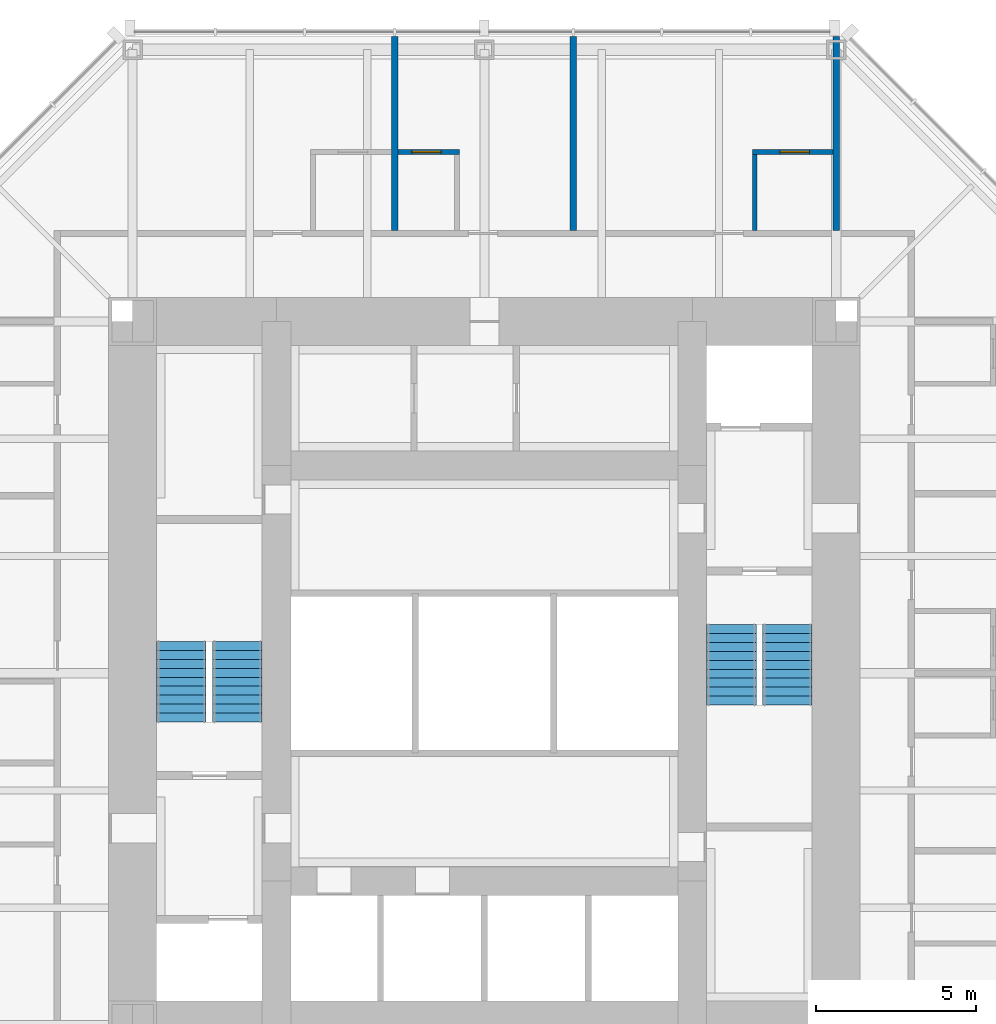
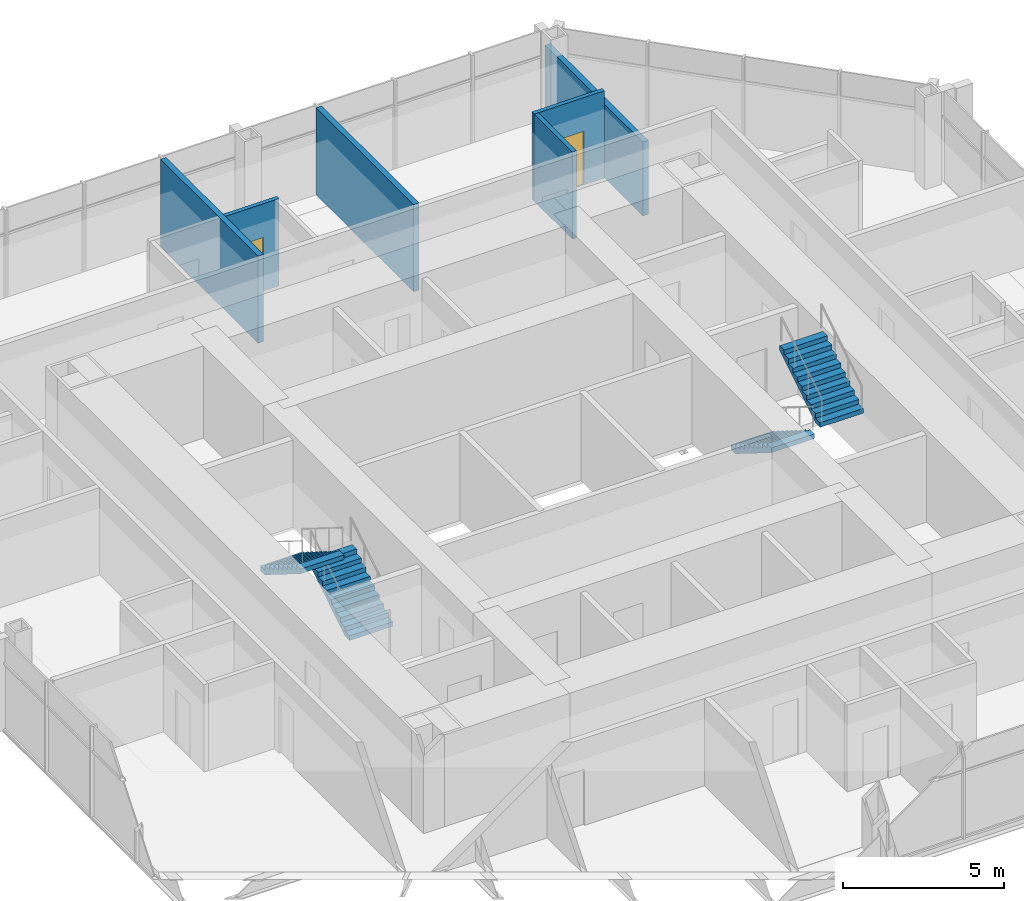
# One storey, part 10 of 11: 6 walls, 4 stair flights, 2 doors, 2 openings, 2 elements without a shape of their own.
"""IFC4 building model written with IfcOpenShell, lengths in metres."""

from ifc_helpers import new_model, si_unit, direction, frame, frame_2d, origin, place, context, subcontext, project, spatial, polyline, rectangle, outline, extrude, material, layer, layer_set, type_object, element, fill, aggregate, save


model = new_model("IFC4")

# Units and contexts
model_context = context("Model", 3, precision=1e-05, world=origin(), true_north=direction((0.0, 1.0)))
body_context = subcontext(model_context, "Body", "Model", "MODEL_VIEW")
ifc_project = project(units=[si_unit("LENGTHUNIT", "METRE"), si_unit("AREAUNIT", "SQUARE_METRE"), si_unit("VOLUMEUNIT", "CUBIC_METRE"), si_unit("PLANEANGLEUNIT", "RADIAN"), si_unit("MASSUNIT", "GRAM", prefix="KILO")], contexts=[model_context])

# Site, building, storey
site_placement = place(None, origin())
site = spatial("IfcSite", under=ifc_project, at=site_placement, CompositionType="ELEMENT")
building_placement = place(site_placement, origin())
building = spatial("IfcBuilding", under=site, at=building_placement, Name="Trevanion Tower", CompositionType="ELEMENT")
storey_placement = place(building_placement, frame((0.0, 0.0, 215.199951171875)))
storey = spatial("IfcBuildingStorey", under=building, at=storey_placement, Name="L51", CompositionType="ELEMENT", Elevation=215.199951171875)

# Wall, opening, door
ifc_material_1 = material(Name="Gypsum board on steel studs", Category="steel")
ifc_layer_1 = layer(ifc_material_1, 0.14990234375)
ifc_layer_set_1 = layer_set([ifc_layer_1], Name="PT1 partition 150")
wall_type_1 = type_object("IfcWallType", Name="PT1 partition 150", PredefinedType="PARTITIONING", material=ifc_layer_set_1)
wall_1_placement = place(storey_placement, frame((10.89990234375, 16.300048828125, 0.0), z_axis=(0.0, 0.0, 1.0), x_axis=(-1.0, 0.0, 0.0)))
wall_1 = element("IfcWall", 1, at=wall_1_placement, inside=storey, type_object=wall_type_1, Name="PT1 L51 BA10", PredefinedType="PARTITIONING", context=body_context, shape_type="SweptSolid", body=[
    extrude(rectangle(XDim=2.52490234375, YDim=0.14990234375, at=frame_2d((1.262451171875, 0.0))), origin(), (0.0, 0.0, 1.0), 3.31005859375),
])
opening_1_placement = place(wall_1_placement, frame((0.742431640625, 0.0, 0.0)))
opening_1 = element("IfcOpeningElement", 2, at=opening_1_placement, cuts=wall_1, Name="Opening 51-024", PredefinedType="OPENING", context=body_context, shape_type="SweptSolid", body=[
    extrude(rectangle(XDim=0.9150390625, YDim=2.031982421875, at=frame_2d((0.45751953125, 1.01611328125))), frame((0.0, 0.0849609375, 0.0), z_axis=(0.0, -1.0, 0.0), x_axis=(1.0, 0.0, 0.0)), (0.0, 0.0, 1.0), 0.169921875),
])
ifc_material_2 = material(Name="Timber veneer", Category="wood")
door_type = type_object("IfcDoorType", Name="D7 bathroom door", OperationType="SINGLE_SWING_LEFT", PredefinedType="DOOR", material=ifc_material_2)
door_1_placement = place(opening_1_placement, origin())
door_1 = element("IfcDoor", 3, at=door_1_placement, inside=storey, type_object=door_type, Name="Door 51-024", OperationType="SINGLE_SWING_LEFT", OverallHeight=2.031982421875, OverallWidth=0.9150390625, PredefinedType="DOOR", context=body_context, shape_type="SweptSolid", body=[
    extrude(rectangle(XDim=0.9150390625, YDim=2.031982421875, at=frame_2d((0.45751953125, 1.01611328125))), frame((0.0, 0.02490234375, 0.0), z_axis=(0.0, -1.0, 0.0), x_axis=(1.0, 0.0, 0.0)), (0.0, 0.0, 1.0), 0.050048828125),
])
fill(opening_1, door_1)

# Wall
wall_2_placement = place(storey_placement, frame((8.449951171875, 13.85009765625, 0.0), z_axis=(0.0, 0.0, 1.0), x_axis=(0.0, 1.0, 0.0)))
element("IfcWall", 4, at=wall_2_placement, inside=storey, type_object=wall_type_1, Name="PT1 L51 BB10", PredefinedType="PARTITIONING", context=body_context, shape_type="SweptSolid", body=[
    extrude(rectangle(XDim=2.375, YDim=0.14990234375, at=frame_2d((1.1875, 0.0))), origin(), (0.0, 0.0, 1.0), 3.31005859375),
])

# Wall, opening, door
wall_3_placement = place(storey_placement, frame((-0.781982421875, 16.300048828125, 0.0), z_axis=(0.0, 0.0, 1.0), x_axis=(-1.0, 0.0, 0.0)))
wall_3 = element("IfcWall", 5, at=wall_3_placement, inside=storey, type_object=wall_type_1, Name="PT1 L51 BA11", PredefinedType="PARTITIONING", context=body_context, shape_type="SweptSolid", body=[
    extrude(rectangle(XDim=1.925048828125, YDim=0.14990234375, at=frame_2d((0.96240234375, 0.0))), origin(), (0.0, 0.0, 1.0), 3.31005859375),
])
opening_2_placement = place(wall_3_placement, frame((0.5673828125, 0.0, 0.0)))
opening_2 = element("IfcOpeningElement", 6, at=opening_2_placement, cuts=wall_3, Name="Opening 51-026", PredefinedType="OPENING", context=body_context, shape_type="SweptSolid", body=[
    extrude(rectangle(XDim=0.9150390625, YDim=2.031982421875, at=frame_2d((0.45751953125, 1.01611328125))), frame((0.0, 0.0849609375, 0.0), z_axis=(0.0, -1.0, 0.0), x_axis=(1.0, 0.0, 0.0)), (0.0, 0.0, 1.0), 0.169921875),
])
door_2_placement = place(opening_2_placement, origin())
door_2 = element("IfcDoor", 7, at=door_2_placement, inside=storey, type_object=door_type, Name="Door 51-026", OperationType="SINGLE_SWING_LEFT", OverallHeight=2.031982421875, OverallWidth=0.9150390625, PredefinedType="DOOR", context=body_context, shape_type="SweptSolid", body=[
    extrude(rectangle(XDim=0.9150390625, YDim=2.031982421875, at=frame_2d((0.45751953125, 1.01611328125))), frame((0.0, 0.02490234375, 0.0), z_axis=(0.0, -1.0, 0.0), x_axis=(1.0, 0.0, 0.0)), (0.0, 0.0, 1.0), 0.050048828125),
])
fill(opening_2, door_2)

# Walls
ifc_material_3 = material(Name="Concrete masonry, grouted", Category="masonry")
ifc_layer_2 = layer(ifc_material_3, 0.199951171875)
ifc_layer_set_2 = layer_set([ifc_layer_2], Name="PT2 partition 200 1 HR")
wall_type_2 = type_object("IfcWallType", Name="PT2 partition 200 1 HR", PredefinedType="PARTITIONING", material=ifc_layer_set_2)
wall_4_placement = place(storey_placement, frame((11.0, 13.85009765625, 0.0), z_axis=(0.0, 0.0, 1.0), x_axis=(0.0, 1.0, 0.0)))
element("IfcWall", 8, at=wall_4_placement, inside=storey, type_object=wall_type_2, Name="PT2 L51 HD10", PredefinedType="PARTITIONING", context=body_context, shape_type="SweptSolid", body=[
    extrude(rectangle(XDim=6.06494140625, YDim=0.199951171875, at=frame_2d((3.032470703125, 0.0))), origin(), (0.0, 0.0, 1.0), 2.802001953125),
])
for number, where, z_axis, x_axis, name in (
    (9, (2.77490234375, 13.85009765625, 0.0), (0.0, 0.0, 1.0), (0.0, 1.0, 0.0), "PT2 L51 HD11"),
    (10, (-2.806884765625, 13.85009765625, 0.0), (0.0, 0.0, 1.0), (0.0, 1.0, 0.0), "PT2 L51 HD12"),
):
    element("IfcWall", number, at=place(storey_placement, frame(where, z_axis=z_axis, x_axis=x_axis)), inside=storey, type_object=wall_type_2, Name=name, PredefinedType="PARTITIONING", context=body_context, shape_type="SweptSolid", body=[
        extrude(rectangle(XDim=6.06494140625, YDim=0.199951171875, at=frame_2d((3.032470703125, 0.0))), origin(), (0.0, 0.0, 1.0), 3.31005859375),
    ])

# Stair, stair flights
ifc_material_4 = material(Name="Concrete 5,000 psi on steel stringers", Category="concrete")
stair_type = type_object("IfcStairType", Name="ST stair", PredefinedType="HALF_TURN_STAIR", material=ifc_material_4)
stair_1_placement = place(storey_placement, origin())
stair_1 = element("IfcStair", 11, at=stair_1_placement, inside=storey, type_object=stair_type, Name="ST1 L51", PredefinedType="HALF_TURN_STAIR")
ifc_material_5 = material(Name="Concrete 5,000 psi in steel pan", Category="concrete")
stair_flight_type = type_object("IfcStairFlightType", Name="STF stair flight", PredefinedType="STRAIGHT", material=ifc_material_5)
stair_flight_1_placement = place(storey_placement, frame((7.72509765625, 1.52490234375, 0.0), z_axis=(0.0, 0.0, 1.0), x_axis=(0.0, -1.0, 0.0)))
stair_flight_1 = element("IfcStairFlight", 12, at=stair_flight_1_placement, type_object=stair_flight_type, Name="ST1 flight 1", NumberOfRisers=10, NumberOfTreads=9, PredefinedType="STRAIGHT", RiserHeight=0.175, TreadLength=0.28, context=body_context, shape_type="SweptSolid", body=[
    extrude(outline(polyline([(0.0, 0.0), (0.0, 0.175048828125), (0.280029296875, 0.175048828125), (0.280029296875, 0.35009765625), (0.56005859375, 0.35009765625), (0.56005859375, 0.52490234375), (0.840087890625, 0.52490234375), (0.840087890625, 0.699951171875), (1.1201171875, 0.699951171875), (1.1201171875, 0.875), (1.39990234375, 0.875), (1.39990234375, 1.050048828125), (1.679931640625, 1.050048828125), (1.679931640625, 1.22509765625), (1.9599609375, 1.22509765625), (1.9599609375, 1.39990234375), (2.239990234375, 1.39990234375), (2.239990234375, 1.574951171875), (2.52001953125, 1.574951171875), (2.52001953125, 1.75), (2.52001953125, 1.398193359375), (0.28271484375, 0.0), (0.0, 0.0)])), frame((0.0, 0.77490234375, 0.0), z_axis=(0.0, -1.0, 0.0), x_axis=(1.0, 0.0, 0.0)), (0.0, 0.0, 1.0), 1.550048828125),
])
stair_flight_2_placement = place(storey_placement, frame((9.47509765625, -0.9951171875, 1.75), z_axis=(0.0, 0.0, 1.0), x_axis=(0.0, 1.0, 0.0)))
stair_flight_2 = element("IfcStairFlight", 13, at=stair_flight_2_placement, type_object=stair_flight_type, Name="ST1 flight 2", NumberOfRisers=10, NumberOfTreads=9, PredefinedType="STRAIGHT", RiserHeight=0.175, TreadLength=0.28, context=body_context, shape_type="SweptSolid", body=[
    extrude(outline(polyline([(0.0, 0.0), (0.0, 0.175048828125), (0.280029296875, 0.175048828125), (0.280029296875, 0.35009765625), (0.56005859375, 0.35009765625), (0.56005859375, 0.52490234375), (0.840087890625, 0.52490234375), (0.840087890625, 0.699951171875), (1.1201171875, 0.699951171875), (1.1201171875, 0.875), (1.39990234375, 0.875), (1.39990234375, 1.050048828125), (1.679931640625, 1.050048828125), (1.679931640625, 1.22509765625), (1.9599609375, 1.22509765625), (1.9599609375, 1.39990234375), (2.239990234375, 1.39990234375), (2.239990234375, 1.574951171875), (2.52001953125, 1.574951171875), (2.52001953125, 1.75), (2.52001953125, 1.398193359375), (0.28271484375, 0.0), (0.0, 0.0)])), frame((0.0, 0.77490234375, 0.0), z_axis=(0.0, -1.0, 0.0), x_axis=(1.0, 0.0, 0.0)), (0.0, 0.0, 1.0), 1.550048828125),
])
aggregate(stair_1, [stair_flight_1, stair_flight_2])

stair_2_placement = place(storey_placement, origin())
stair_2 = element("IfcStair", 14, at=stair_2_placement, inside=storey, type_object=stair_type, Name="ST2 L51", PredefinedType="HALF_TURN_STAIR")
stair_flight_3_placement = place(storey_placement, frame((-7.72509765625, -1.52490234375, 0.0), z_axis=(0.0, 0.0, 1.0), x_axis=(0.0, 1.0, 0.0)))
stair_flight_3 = element("IfcStairFlight", 15, at=stair_flight_3_placement, type_object=stair_flight_type, Name="ST2 flight 1", NumberOfRisers=10, NumberOfTreads=9, PredefinedType="STRAIGHT", RiserHeight=0.175, TreadLength=0.28, context=body_context, shape_type="SweptSolid", body=[
    extrude(outline(polyline([(0.0, 0.0), (0.0, 0.175048828125), (0.280029296875, 0.175048828125), (0.280029296875, 0.35009765625), (0.56005859375, 0.35009765625), (0.56005859375, 0.52490234375), (0.840087890625, 0.52490234375), (0.840087890625, 0.699951171875), (1.1201171875, 0.699951171875), (1.1201171875, 0.875), (1.39990234375, 0.875), (1.39990234375, 1.050048828125), (1.679931640625, 1.050048828125), (1.679931640625, 1.22509765625), (1.9599609375, 1.22509765625), (1.9599609375, 1.39990234375), (2.239990234375, 1.39990234375), (2.239990234375, 1.574951171875), (2.52001953125, 1.574951171875), (2.52001953125, 1.75), (2.52001953125, 1.398193359375), (0.28271484375, 0.0), (0.0, 0.0)])), frame((0.0, 0.77490234375, 0.0), z_axis=(0.0, -1.0, 0.0), x_axis=(1.0, 0.0, 0.0)), (0.0, 0.0, 1.0), 1.550048828125),
])
stair_flight_4_placement = place(storey_placement, frame((-9.47509765625, 0.9951171875, 1.75), z_axis=(0.0, 0.0, 1.0), x_axis=(0.0, -1.0, 0.0)))
stair_flight_4 = element("IfcStairFlight", 16, at=stair_flight_4_placement, type_object=stair_flight_type, Name="ST2 flight 2", NumberOfRisers=10, NumberOfTreads=9, PredefinedType="STRAIGHT", RiserHeight=0.175, TreadLength=0.28, context=body_context, shape_type="SweptSolid", body=[
    extrude(outline(polyline([(0.0, 0.0), (0.0, 0.175048828125), (0.280029296875, 0.175048828125), (0.280029296875, 0.35009765625), (0.56005859375, 0.35009765625), (0.56005859375, 0.52490234375), (0.840087890625, 0.52490234375), (0.840087890625, 0.699951171875), (1.1201171875, 0.699951171875), (1.1201171875, 0.875), (1.39990234375, 0.875), (1.39990234375, 1.050048828125), (1.679931640625, 1.050048828125), (1.679931640625, 1.22509765625), (1.9599609375, 1.22509765625), (1.9599609375, 1.39990234375), (2.239990234375, 1.39990234375), (2.239990234375, 1.574951171875), (2.52001953125, 1.574951171875), (2.52001953125, 1.75), (2.52001953125, 1.398193359375), (0.28271484375, 0.0), (0.0, 0.0)])), frame((0.0, 0.77490234375, 0.0), z_axis=(0.0, -1.0, 0.0), x_axis=(1.0, 0.0, 0.0)), (0.0, 0.0, 1.0), 1.550048828125),
])
aggregate(stair_2, [stair_flight_3, stair_flight_4])

save(model, "model.ifc")
